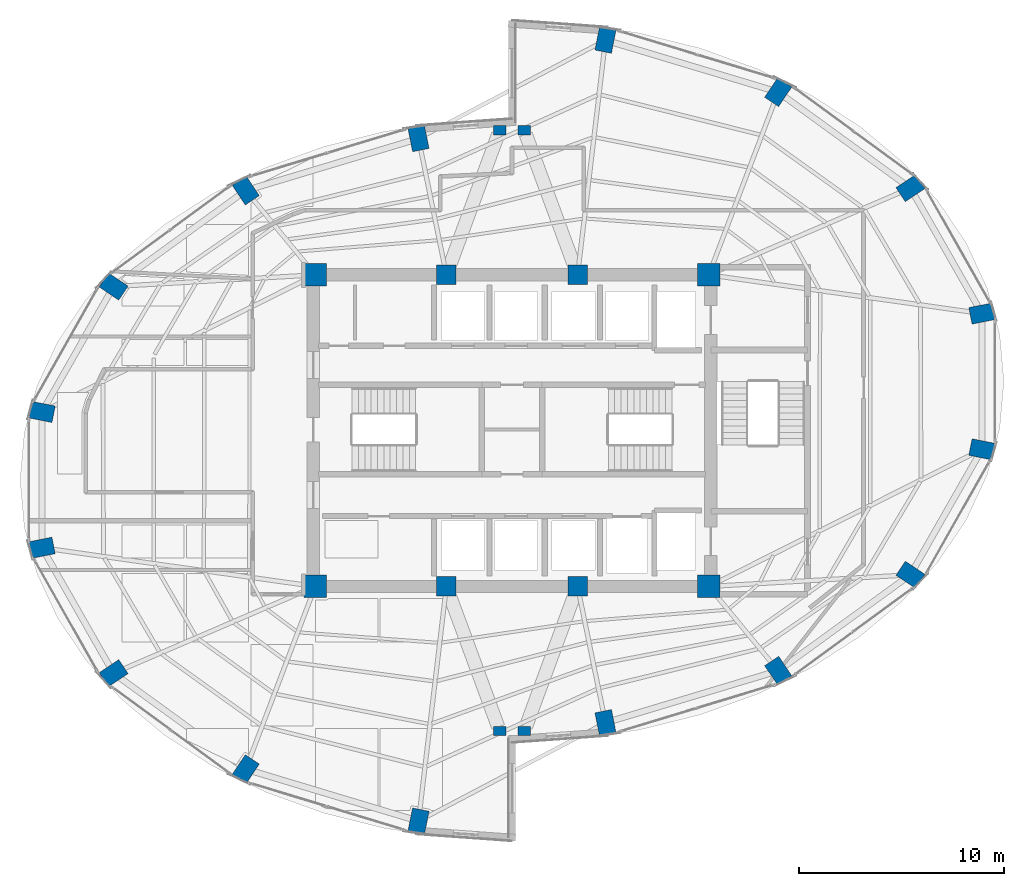
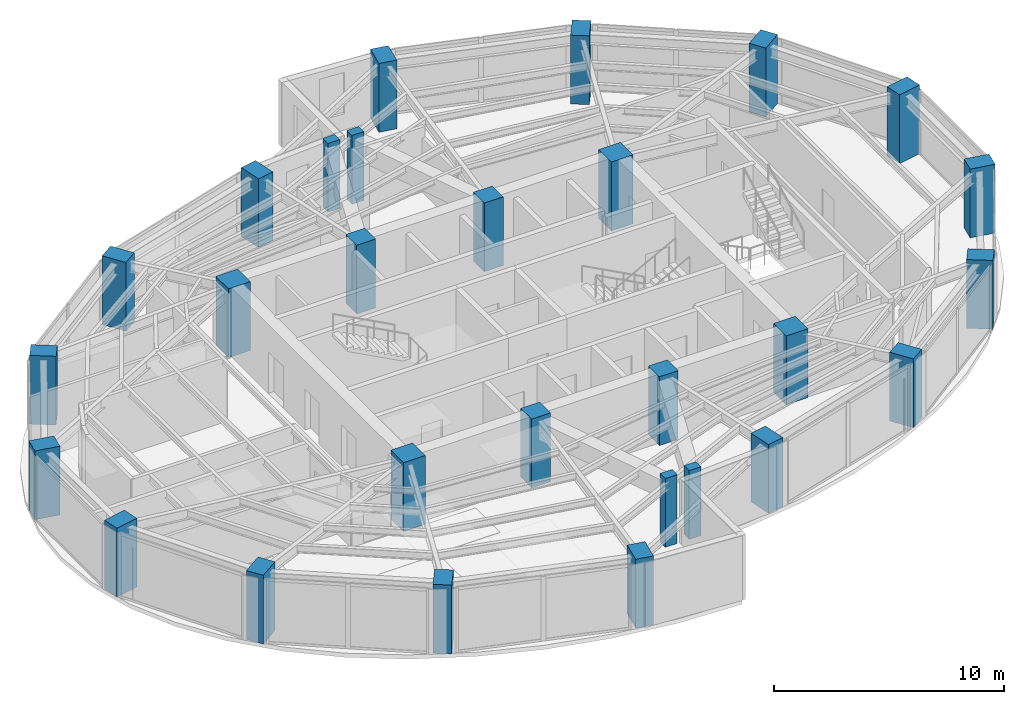
# One storey, part 1 of 20: 28 columns.
"""IFC4 building model written with IfcOpenShell, lengths in metres."""

from ifc_helpers import new_model, si_unit, direction, frame, origin, origin_2d, place, context, subcontext, project, spatial, rectangle, extrude, material, material_profile, profile_set, type_object, element, save


model = new_model("IFC4")

# Units and contexts
model_context = context("Model", 3, precision=1e-05, world=origin(), true_north=direction((0.0, 1.0)))
body_context = subcontext(model_context, "Body", "Model", "MODEL_VIEW")
ifc_project = project(units=[si_unit("LENGTHUNIT", "METRE"), si_unit("AREAUNIT", "SQUARE_METRE"), si_unit("VOLUMEUNIT", "CUBIC_METRE"), si_unit("PLANEANGLEUNIT", "RADIAN"), si_unit("MASSUNIT", "GRAM", prefix="KILO")], contexts=[model_context])

# Site, building, storey
site_placement = place(None, origin())
site = spatial("IfcSite", under=ifc_project, at=site_placement, CompositionType="ELEMENT")
building_placement = place(site_placement, origin())
building = spatial("IfcBuilding", under=site, at=building_placement, Name="Lazwardi Medical Tower", CompositionType="ELEMENT")
storey_placement = place(building_placement, frame((0.0, 0.0, 178.416015625)))
storey = spatial("IfcBuildingStorey", under=building, at=storey_placement, Name="L46", CompositionType="ELEMENT", Elevation=178.416015625)

# Columns
ifc_material_1 = material(Name="Concrete C80/95", Category="concrete")
ifc_material_profile_1 = material_profile(ifc_material_1, rectangle(XDim=1.10009765625, YDim=1.10009765625, at=origin_2d()), Name="RC 1100x1100")
ifc_profile_set_1 = profile_set([ifc_material_profile_1], Name="Concrete C80/95")
column_type_1 = type_object("IfcColumnType", Name="COL-CC-L", PredefinedType="COLUMN", material=ifc_profile_set_1)
for number, where, z_axis, x_axis, name in (
    (1, (26.39990234375, 20.39990234375, 0.0), (0.0, 0.0, 1.0), (1.0, 0.0, 0.0), "Core column CC-01 CC1 L46"),
    (2, (45.60009765625, 20.39990234375, 0.0), (0.0, 0.0, 1.0), (1.0, 0.0, 0.0), "Core column CC-01 CC4 L46"),
    (3, (45.60009765625, 35.60009765625, 0.0), (0.0, 0.0, 1.0), (1.0, 0.0, 0.0), "Core column CC-01 CC5 L46"),
    (4, (26.39990234375, 35.60009765625, 0.0), (0.0, 0.0, 1.0), (1.0, 0.0, 0.0), "Core column CC-01 CC8 L46"),
):
    element("IfcColumn", number, at=place(storey_placement, frame(where, z_axis=z_axis, x_axis=x_axis)), inside=storey, type_object=column_type_1, Name=name, PredefinedType="COLUMN", context=body_context, shape_type="SweptSolid", body=[
        extrude(rectangle(XDim=1.10009765625, YDim=1.10009765625, at=origin_2d()), origin(), (0.0, 0.0, 1.0), 3.64794921875),
    ])
ifc_material_2 = material(Name="Concrete C70/85", Category="concrete")
ifc_material_profile_2 = material_profile(ifc_material_2, rectangle(XDim=0.949951171875, YDim=0.949951171875, at=origin_2d()), Name="RC 950x950")
ifc_profile_set_2 = profile_set([ifc_material_profile_2], Name="Concrete C70/85")
column_type_2 = type_object("IfcColumnType", Name="COL-CC-M", PredefinedType="COLUMN", material=ifc_profile_set_2)
for number, where, z_axis, x_axis, name in (
    (5, (32.800048828125, 20.39990234375, 0.0), (0.0, 0.0, 1.0), (1.0, 0.0, 0.0), "Core column CC-02 CC2 L46"),
    (6, (39.199951171875, 20.39990234375, 0.0), (0.0, 0.0, 1.0), (1.0, 0.0, 0.0), "Core column CC-02 CC3 L46"),
    (7, (39.199951171875, 35.60009765625, 0.0), (0.0, 0.0, 1.0), (1.0, 0.0, 0.0), "Core column CC-02 CC6 L46"),
    (8, (32.800048828125, 35.60009765625, 0.0), (0.0, 0.0, 1.0), (1.0, 0.0, 0.0), "Core column CC-02 CC7 L46"),
):
    element("IfcColumn", number, at=place(storey_placement, frame(where, z_axis=z_axis, x_axis=x_axis)), inside=storey, type_object=column_type_2, Name=name, PredefinedType="COLUMN", context=body_context, shape_type="SweptSolid", body=[
        extrude(rectangle(XDim=0.949951171875, YDim=0.949951171875, at=origin_2d()), origin(), (0.0, 0.0, 1.0), 3.64794921875),
    ])
ifc_material_3 = material(Name="Concrete C60/75", Category="concrete")
ifc_material_profile_3 = material_profile(ifc_material_3, rectangle(XDim=1.14990234375, YDim=0.820068359375, at=origin_2d()), Name="CFT-RECT 1150x820")
ifc_profile_set_3 = profile_set([ifc_material_profile_3], Name="Concrete C60/75")
column_type_3 = type_object("IfcColumnType", Name="COL-MC-Z3", PredefinedType="COLUMN", material=ifc_profile_set_3)
for number, where, z_axis, x_axis, name in (
    (9, (40.560302734375, 13.751220703125, 0.0), (0.0, 0.0, 1.0), (0.195090322016, -0.980785280403, 0.0), "Mega column MC-05 M01 L46"),
    (10, (48.986572265625, 16.285888671875, 0.0), (0.0, 0.0, 1.0), (0.55557023302, -0.831469612303, 0.0), "Mega column MC-05 M02 L46"),
    (11, (55.435546875, 20.96923828125, 0.0), (0.0, 0.0, 1.0), (0.831469612303, -0.55557023302, 0.0), "Mega column MC-05 M03 L46"),
    (12, (58.92578125, 27.08837890625, 0.0), (0.0, 0.0, 1.0), (0.980785280403, -0.195090322016, 0.0), "Mega column MC-05 M04 L46"),
    (13, (58.92578125, 33.711669921875, 0.0), (0.0, 0.0, 1.0), (0.980785280403, 0.195090322016, 0.0), "Mega column MC-05 M05 L46"),
    (14, (55.435546875, 39.830810546875, 0.0), (0.0, 0.0, 1.0), (0.831469612303, 0.55557023302, 0.0), "Mega column MC-05 M06 L46"),
    (15, (48.986572265625, 44.51416015625, 0.0), (0.0, 0.0, 1.0), (0.55557023302, 0.831469612303, 0.0), "Mega column MC-05 M07 L46"),
    (16, (40.560302734375, 47.048828125, 0.0), (0.0, 0.0, 1.0), (0.195090322016, 0.980785280403, 0.0), "Mega column MC-05 M08 L46"),
    (17, (31.439697265625, 42.248779296875, 0.0), (0.0, 0.0, 1.0), (-0.195090322016, 0.980785280403, 0.0), "Mega column MC-05 M09 L46"),
    (18, (23.013427734375, 39.714111328125, 0.0), (0.0, 0.0, 1.0), (-0.55557023302, 0.831469612303, 0.0), "Mega column MC-05 M10 L46"),
    (19, (16.564453125, 35.03076171875, 0.0), (0.0, 0.0, 1.0), (-0.831469612303, 0.55557023302, 0.0), "Mega column MC-05 M11 L46"),
    (20, (13.07421875, 28.91162109375, 0.0), (0.0, 0.0, 1.0), (-0.980785280403, 0.195090322016, 0.0), "Mega column MC-05 M12 L46"),
    (21, (13.07421875, 22.288330078125, 0.0), (0.0, 0.0, 1.0), (-0.980785280403, -0.195090322016, 0.0), "Mega column MC-05 M13 L46"),
    (22, (16.564453125, 16.169189453125, 0.0), (0.0, 0.0, 1.0), (-0.831469612303, -0.55557023302, 0.0), "Mega column MC-05 M14 L46"),
    (23, (23.013427734375, 11.48583984375, 0.0), (0.0, 0.0, 1.0), (-0.55557023302, -0.831469612303, 0.0), "Mega column MC-05 M15 L46"),
    (24, (31.439697265625, 8.951171875, 0.0), (0.0, 0.0, 1.0), (-0.195090322016, -0.980785280403, 0.0), "Mega column MC-05 M16 L46"),
):
    element("IfcColumn", number, at=place(storey_placement, frame(where, z_axis=z_axis, x_axis=x_axis)), inside=storey, type_object=column_type_3, Name=name, PredefinedType="COLUMN", context=body_context, shape_type="SweptSolid", body=[
        extrude(rectangle(XDim=1.14990234375, YDim=0.820068359375, at=origin_2d()), origin(), (0.0, 0.0, 1.0), 3.64794921875),
    ])
ifc_material_profile_4 = material_profile(ifc_material_3, rectangle(XDim=0.60009765625, YDim=0.449951171875, at=origin_2d()), Name="RC 600x450")
ifc_profile_set_4 = profile_set([ifc_material_profile_4], Name="Concrete C60/75")
column_type_4 = type_object("IfcColumnType", Name="COL-PL-IW", PredefinedType="PILASTER", material=ifc_profile_set_4)
for number, where, z_axis, x_axis, name in (
    (25, (35.39990234375, 42.64990234375, 0.0), (0.0, 0.0, 1.0), (1.0, 0.0, 0.0), "Iwan pilaster column PL-C1 PL1 L46"),
    (26, (36.60009765625, 42.64990234375, 0.0), (0.0, 0.0, 1.0), (1.0, 0.0, 0.0), "Iwan pilaster column PL-C1 PL2 L46"),
    (27, (35.39990234375, 13.35009765625, 0.0), (0.0, 0.0, 1.0), (1.0, 0.0, 0.0), "Iwan pilaster column PL-C1 PL3 L46"),
    (28, (36.60009765625, 13.35009765625, 0.0), (0.0, 0.0, 1.0), (1.0, 0.0, 0.0), "Iwan pilaster column PL-C1 PL4 L46"),
):
    element("IfcColumn", number, at=place(storey_placement, frame(where, z_axis=z_axis, x_axis=x_axis)), inside=storey, type_object=column_type_4, Name=name, PredefinedType="PILASTER", context=body_context, shape_type="SweptSolid", body=[
        extrude(rectangle(XDim=0.60009765625, YDim=0.449951171875, at=origin_2d()), origin(), (0.0, 0.0, 1.0), 3.64794921875),
    ])

save(model, "model.ifc")
